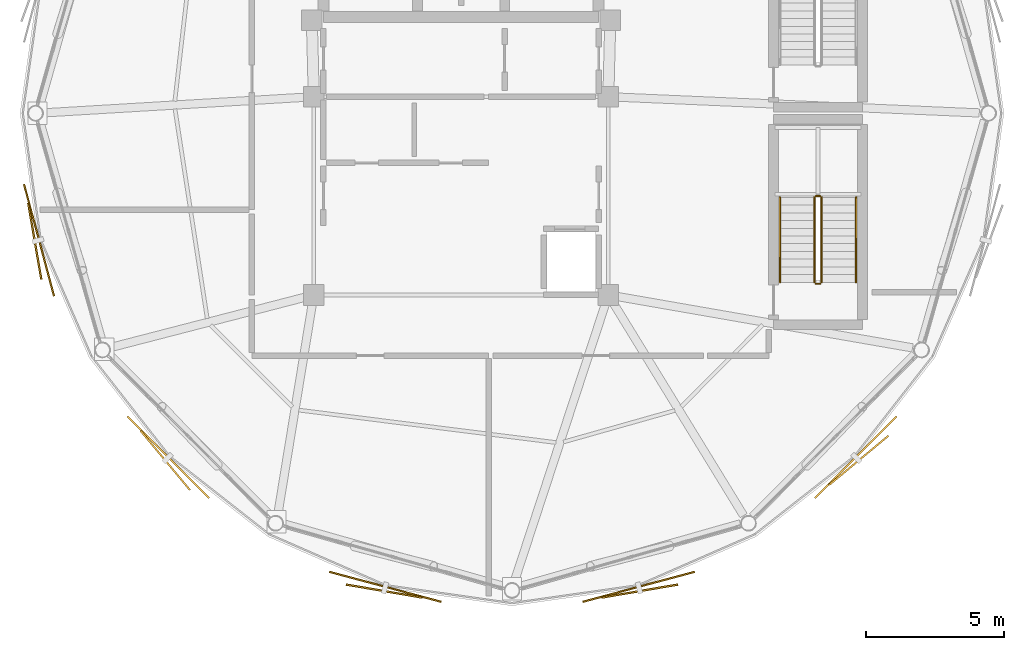
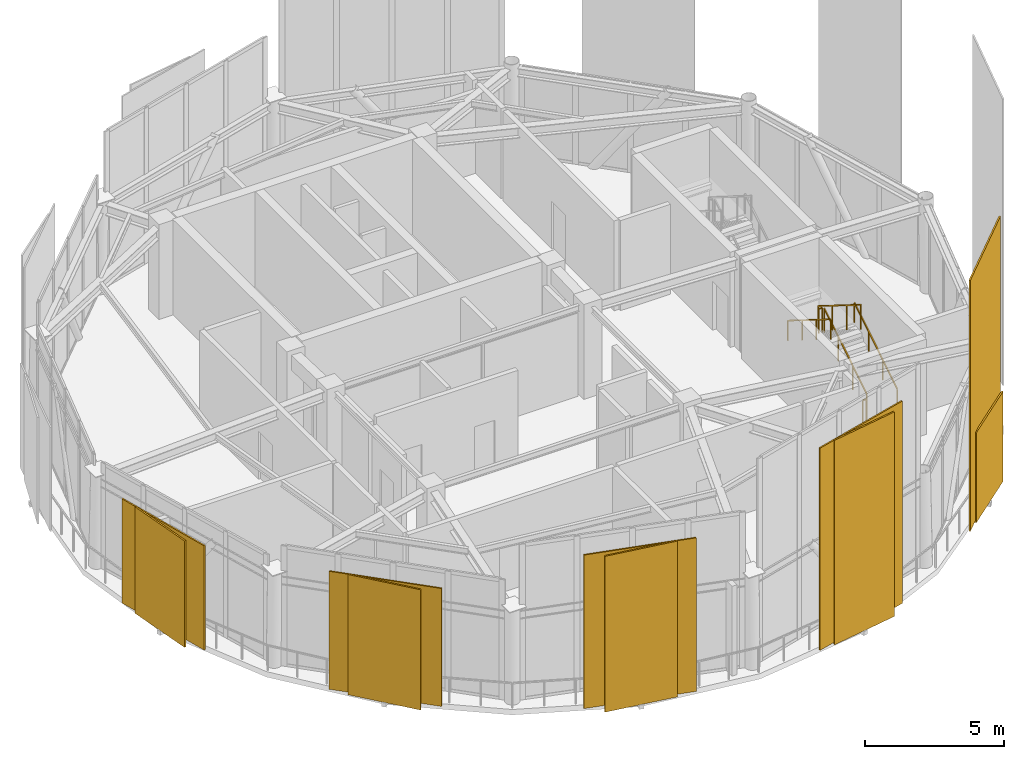
# One storey, part 18 of 20: 6 railings, 5 coverings, 5 shading devices.
"""IFC4 building model written with IfcOpenShell, lengths in metres."""

from ifc_helpers import new_model, si_unit, direction, frame, origin, origin_2d, place, context, subcontext, project, spatial, rectangle, extrude, source, transform, mapped, material, layer, layer_set, type_object, type_shapes, element, save


model = new_model("IFC4")

# Units and contexts
model_context = context("Model", 3, precision=1e-05, world=origin(), true_north=direction((0.0, 1.0)))
body_context = subcontext(model_context, "Body", "Model", "MODEL_VIEW")
ifc_project = project(units=[si_unit("LENGTHUNIT", "METRE"), si_unit("AREAUNIT", "SQUARE_METRE"), si_unit("VOLUMEUNIT", "CUBIC_METRE"), si_unit("PLANEANGLEUNIT", "RADIAN"), si_unit("MASSUNIT", "GRAM", prefix="KILO")], contexts=[model_context])

# Site, building, storey
site_placement = place(None, origin())
site = spatial("IfcSite", under=ifc_project, at=site_placement, CompositionType="ELEMENT")
building_placement = place(site_placement, origin())
building = spatial("IfcBuilding", under=site, at=building_placement, Name="Varnakorn Sky Granary", CompositionType="ELEMENT")
storey_placement = place(building_placement, frame((0.0, 0.0, 310.800048828125)))
storey = spatial("IfcBuildingStorey", under=building, at=storey_placement, Name="L79", CompositionType="ELEMENT", Elevation=310.800048828125)

# Railings
ifc_material_1 = material(Name="Brushed Stainless Steel 316", Category="steel")
railing_type_1 = type_object("IfcRailingType", Name="RL-STAIR-1100", PredefinedType="GUARDRAIL", material=ifc_material_1)
railing_1_placement = place(storey_placement, frame((16.090087890625, -6.139892578125, 0.175048828125)))
element("IfcRailing", 1, at=railing_1_placement, inside=storey, type_object=railing_type_1, Name="L79 ST-C2 stair guard 1", PredefinedType="GUARDRAIL", context=body_context, shape_type="SweptSolid", body=[
    extrude(rectangle(XDim=0.048095703125, YDim=0.048095703125, at=origin_2d()), frame((0.0, 0.0, 1.076171875), z_axis=(0.0, 0.848009633417, 0.529980812513), x_axis=(-1.0, 0.0, 0.0)), (0.0, 0.0, 1.0), 3.6318359375),
    extrude(rectangle(XDim=0.0419921875, YDim=0.0419921875, at=origin_2d()), origin(), (0.0, 0.0, 1.0), 1.048095703125),
    extrude(rectangle(XDim=0.0419921875, YDim=0.0419921875, at=origin_2d()), frame((0.0, 1.026611328125, 0.6416015625)), (0.0, 0.0, 1.0), 1.048095703125),
    extrude(rectangle(XDim=0.0419921875, YDim=0.0419921875, at=origin_2d()), frame((0.0, 2.05322265625, 1.283203125)), (0.0, 0.0, 1.0), 1.048095703125),
    extrude(rectangle(XDim=0.0419921875, YDim=0.0419921875, at=origin_2d()), frame((0.0, 3.079833984375, 1.9248046875)), (0.0, 0.0, 1.0), 1.048095703125),
])
railing_2_placement = place(storey_placement, frame((16.0400390625, -3.010009765625, 2.099853515625)))
element("IfcRailing", 2, at=railing_2_placement, inside=storey, type_object=railing_type_1, Name="L79 ST-C2 stair guard 2", PredefinedType="GUARDRAIL", context=body_context, shape_type="SweptSolid", body=[
    extrude(rectangle(XDim=0.048095703125, YDim=0.048095703125, at=origin_2d()), frame((0.0, 0.0, 1.076171875), z_axis=(-1.0, 0.0, 0.0), x_axis=(0.0, -1.0, 0.0)), (0.0, 0.0, 1.0), 0.150146484375),
    extrude(rectangle(XDim=0.0419921875, YDim=0.0419921875, at=origin_2d()), origin(), (0.0, 0.0, 1.0), 1.048095703125),
    extrude(rectangle(XDim=0.0419921875, YDim=0.0419921875, at=origin_2d()), frame((-0.150146484375, 0.0, 0.0)), (0.0, 0.0, 1.0), 1.048095703125),
])
railing_3_placement = place(storey_placement, frame((15.840087890625, -3.06005859375, 2.27490234375)))
element("IfcRailing", 3, at=railing_3_placement, inside=storey, type_object=railing_type_1, Name="L79 ST-C2 stair guard 3", PredefinedType="GUARDRAIL", context=body_context, shape_type="SweptSolid", body=[
    extrude(rectangle(XDim=0.048095703125, YDim=0.048095703125, at=origin_2d()), frame((0.0, 0.0, 1.076171875), z_axis=(0.0, -0.847979421464, 0.530029150871), x_axis=(1.0, 0.0, 0.0)), (0.0, 0.0, 1.0), 3.632080078125),
    extrude(rectangle(XDim=0.0419921875, YDim=0.0419921875, at=origin_2d()), origin(), (0.0, 0.0, 1.0), 1.048095703125),
    extrude(rectangle(XDim=0.0419921875, YDim=0.0419921875, at=origin_2d()), frame((0.0, -1.026611328125, 0.6416015625)), (0.0, 0.0, 1.0), 1.048095703125),
    extrude(rectangle(XDim=0.0419921875, YDim=0.0419921875, at=origin_2d()), frame((0.0, -2.05322265625, 1.283447265625)), (0.0, 0.0, 1.0), 1.048095703125),
    extrude(rectangle(XDim=0.0419921875, YDim=0.0419921875, at=origin_2d()), frame((0.0, -3.079833984375, 1.925048828125)), (0.0, 0.0, 1.0), 1.048095703125),
])
railing_4_placement = place(storey_placement, frame((16.0400390625, -6.18994140625, 0.0)))
element("IfcRailing", 4, at=railing_4_placement, inside=storey, type_object=railing_type_1, Name="L79 ST-C2 stair guard 4", PredefinedType="GUARDRAIL", context=body_context, shape_type="SweptSolid", body=[
    extrude(rectangle(XDim=0.048095703125, YDim=0.048095703125, at=origin_2d()), frame((0.0, 0.0, 1.076171875), z_axis=(-1.0, 0.0, 0.0), x_axis=(0.0, -1.0, 0.0)), (0.0, 0.0, 1.0), 0.150146484375),
    extrude(rectangle(XDim=0.0419921875, YDim=0.0419921875, at=origin_2d()), origin(), (0.0, 0.0, 1.0), 1.048095703125),
    extrude(rectangle(XDim=0.0419921875, YDim=0.0419921875, at=origin_2d()), frame((-0.150146484375, 0.0, 0.0)), (0.0, 0.0, 1.0), 1.048095703125),
])
railing_type_2 = type_object("IfcRailingType", Name="RL-STAIR-920", PredefinedType="HANDRAIL", material=ifc_material_1)
railing_5_placement = place(storey_placement, frame((17.35009765625, -6.139892578125, 0.175048828125)))
element("IfcRailing", 5, at=railing_5_placement, inside=storey, type_object=railing_type_2, Name="L79 ST-C2 stair handrail 1", PredefinedType="HANDRAIL", context=body_context, shape_type="SweptSolid", body=[
    extrude(rectangle(XDim=0.048095703125, YDim=0.048095703125, at=origin_2d()), frame((0.0, 0.0, 0.8759765625), z_axis=(0.0, 0.848009633417, 0.529980812513), x_axis=(-1.0, 0.0, 0.0)), (0.0, 0.0, 1.0), 3.6318359375),
    extrude(rectangle(XDim=0.0419921875, YDim=0.0419921875, at=origin_2d()), origin(), (0.0, 0.0, 1.0), 0.847900390625),
    extrude(rectangle(XDim=0.0419921875, YDim=0.0419921875, at=origin_2d()), frame((0.0, 1.026611328125, 0.6416015625)), (0.0, 0.0, 1.0), 0.847900390625),
    extrude(rectangle(XDim=0.0419921875, YDim=0.0419921875, at=origin_2d()), frame((0.0, 2.05322265625, 1.283203125)), (0.0, 0.0, 1.0), 0.847900390625),
    extrude(rectangle(XDim=0.0419921875, YDim=0.0419921875, at=origin_2d()), frame((0.0, 3.079833984375, 1.9248046875)), (0.0, 0.0, 1.0), 0.847900390625),
])
railing_6_placement = place(storey_placement, frame((14.580078125, -3.06005859375, 2.27490234375)))
element("IfcRailing", 6, at=railing_6_placement, inside=storey, type_object=railing_type_2, Name="L79 ST-C2 stair handrail 2", PredefinedType="HANDRAIL", context=body_context, shape_type="SweptSolid", body=[
    extrude(rectangle(XDim=0.048095703125, YDim=0.048095703125, at=origin_2d()), frame((0.0, 0.0, 0.8759765625), z_axis=(0.0, -0.847979421464, 0.530029150871), x_axis=(1.0, 0.0, 0.0)), (0.0, 0.0, 1.0), 3.632080078125),
    extrude(rectangle(XDim=0.0419921875, YDim=0.0419921875, at=origin_2d()), origin(), (0.0, 0.0, 1.0), 0.847900390625),
    extrude(rectangle(XDim=0.0419921875, YDim=0.0419921875, at=origin_2d()), frame((0.0, -1.026611328125, 0.6416015625)), (0.0, 0.0, 1.0), 0.847900390625),
    extrude(rectangle(XDim=0.0419921875, YDim=0.0419921875, at=origin_2d()), frame((0.0, -2.05322265625, 1.283447265625)), (0.0, 0.0, 1.0), 0.847900390625),
    extrude(rectangle(XDim=0.0419921875, YDim=0.0419921875, at=origin_2d()), frame((0.0, -3.079833984375, 1.925048828125)), (0.0, 0.0, 1.0), 0.847900390625),
])

# Shading devices
ifc_material_2 = material(Name="Anodised Bronze Aluminium Alloy 6063-T6", Category="aluminium")
shading_device_type = type_object("IfcShadingDeviceType", Name="SH-SCR-03", PredefinedType="USERDEFINED", material=ifc_material_2)
shared_shape_1 = source(origin(), body_context, "Body", "SweptSolid", [
    extrude(rectangle(XDim=2.800048828125, YDim=0.06494140625, at=origin_2d()), origin(), (0.0, 0.0, 1.0), 3.9599609375),
])
shading_device_1_placement = place(storey_placement, frame((17.444091796875, -12.60986328125, -0.0400390625), z_axis=(0.0, 0.0, 1.0), x_axis=(0.769240292064, 0.638959602061, 0.0)))
element("IfcShadingDevice", 7, at=shading_device_1_placement, inside=storey, type_object=shading_device_type, Name="Perforated Bronze Solar Screen Panel SCREEN L79-11", ObjectType="SCREEN", PredefinedType="USERDEFINED", context=body_context, shape_type="MappedRepresentation", body=[
    mapped(shared_shape_1, transform((0.0, 0.0, 0.0), x_axis=(1.0, 0.0, 0.0), y_axis=(0.0, 1.0, 0.0), z_axis=(0.0, 0.0, 1.0), scale=1.0)),
])
shared_shape_2 = source(origin(), body_context, "Body", "SweptSolid", [
    extrude(rectangle(XDim=2.800048828125, YDim=0.06494140625, at=origin_2d()), origin(), (0.0, 0.0, 1.0), 9.0068359375),
])
shading_device_2_placement = place(storey_placement, frame((9.49462890625, -17.355712890625, -0.0400390625), z_axis=(0.0, 0.0, 1.0), x_axis=(0.985608013635, 0.169046867639, 0.0)))
element("IfcShadingDevice", 8, at=shading_device_2_placement, inside=storey, type_object=shading_device_type, Name="Perforated Bronze Solar Screen Panel SCREEN L79-10", ObjectType="SCREEN", PredefinedType="USERDEFINED", context=body_context, shape_type="MappedRepresentation", body=[
    mapped(shared_shape_2, transform((0.0, 0.0, 0.0), x_axis=(1.0, 0.0, 0.0), y_axis=(0.0, 1.0, 0.0), z_axis=(0.0, 0.0, 1.0), scale=1.0)),
])
shared_shape_3 = source(origin(), body_context, "Body", "SweptSolid", [
    extrude(rectangle(XDim=2.800048828125, YDim=0.06494140625, at=origin_2d()), origin(), (0.0, 0.0, 1.0), 6.864501953125),
])
shading_device_3_placement = place(storey_placement, frame((0.205322265625, -17.355712890625, -0.0400390625), z_axis=(0.0, 0.0, 1.0), x_axis=(0.985608013635, -0.169046867639, 0.0)))
element("IfcShadingDevice", 9, at=shading_device_3_placement, inside=storey, type_object=shading_device_type, Name="Perforated Bronze Solar Screen Panel SCREEN L79-09", ObjectType="SCREEN", PredefinedType="USERDEFINED", context=body_context, shape_type="MappedRepresentation", body=[
    mapped(shared_shape_3, transform((0.0, 0.0, 0.0), x_axis=(1.0, 0.0, 0.0), y_axis=(0.0, 1.0, 0.0), z_axis=(0.0, 0.0, 1.0), scale=1.0)),
])
shared_shape_4 = source(origin(), body_context, "Body", "SweptSolid", [
    extrude(rectangle(XDim=2.800048828125, YDim=0.06494140625, at=origin_2d()), origin(), (0.0, 0.0, 1.0), 5.2958984375),
])
shading_device_4_placement = place(storey_placement, frame((-7.744140625, -12.60986328125, -0.0400390625), z_axis=(0.0, 0.0, 1.0), x_axis=(0.639918153418, -0.768443073315, 0.0)))
element("IfcShadingDevice", 10, at=shading_device_4_placement, inside=storey, type_object=shading_device_type, Name="Perforated Bronze Solar Screen Panel SCREEN L79-08", ObjectType="SCREEN", PredefinedType="USERDEFINED", context=body_context, shape_type="MappedRepresentation", body=[
    mapped(shared_shape_4, transform((0.0, 0.0, 0.0), x_axis=(1.0, 0.0, 0.0), y_axis=(0.0, 1.0, 0.0), z_axis=(0.0, 0.0, 1.0), scale=1.0)),
])
shared_shape_5 = source(origin(), body_context, "Body", "SweptSolid", [
    extrude(rectangle(XDim=2.800048828125, YDim=0.06494140625, at=origin_2d()), origin(), (0.0, 0.0, 1.0), 4.688232421875),
])
type_shapes(shading_device_type, [shared_shape_1, shared_shape_2, shared_shape_3, shared_shape_4, shared_shape_5])
shading_device_5_placement = place(storey_placement, frame((-12.484619140625, -4.650390625, -0.0400390625), z_axis=(0.0, 0.0, 1.0), x_axis=(0.169652996009, -0.985503861456, 0.0)))
element("IfcShadingDevice", 11, at=shading_device_5_placement, inside=storey, type_object=shading_device_type, Name="Perforated Bronze Solar Screen Panel SCREEN L79-07", ObjectType="SCREEN", PredefinedType="USERDEFINED", context=body_context, shape_type="MappedRepresentation", body=[
    mapped(shared_shape_5, transform((0.0, 0.0, 0.0), x_axis=(1.0, 0.0, 0.0), y_axis=(0.0, 1.0, 0.0), z_axis=(0.0, 0.0, 1.0), scale=1.0)),
])

# Coverings
ifc_layer = layer(ifc_material_2, 0.050048828125, Name="Anodised Bronze Aluminium Alloy 6063-T6")
ifc_layer_set = layer_set([ifc_layer], Name="Anodised Bronze Aluminium Alloy 6063-T6")
covering_type = type_object("IfcCoveringType", Name="CV-CLAD-50", PredefinedType="CLADDING", material=ifc_layer_set)
shared_shape_6 = source(origin(), body_context, "Body", "SweptSolid", [
    extrude(rectangle(XDim=4.199951171875, YDim=0.06005859375, at=origin_2d()), origin(), (0.0, 0.0, 1.0), 11.04931640625),
])
covering_1_placement = place(storey_placement, frame((17.3310546875, -12.49658203125, 0.050048828125), z_axis=(0.0, 0.0, 1.0), x_axis=(0.707547435477, 0.706665852118, 0.0)))
element("IfcCovering", 12, at=covering_1_placement, inside=storey, type_object=covering_type, Name="Crown Louvre Cladding Screen L79-11", PredefinedType="CLADDING", context=body_context, shape_type="MappedRepresentation", body=[
    mapped(shared_shape_6, transform((0.0, 0.0, 0.0), x_axis=(1.0, 0.0, 0.0), y_axis=(0.0, 1.0, 0.0), z_axis=(0.0, 0.0, 1.0), scale=1.0)),
])
shared_shape_7 = source(origin(), body_context, "Body", "SweptSolid", [
    extrude(rectangle(XDim=4.199951171875, YDim=0.06005859375, at=origin_2d()), origin(), (0.0, 0.0, 1.0), 8.906982421875),
])
covering_2_placement = place(storey_placement, frame((9.453369140625, -17.201171875, 0.0498046875), z_axis=(0.0, 0.0, 1.0), x_axis=(0.966005254616, 0.258522432401, 0.0)))
element("IfcCovering", 13, at=covering_2_placement, inside=storey, type_object=covering_type, Name="Crown Louvre Cladding Screen L79-10", PredefinedType="CLADDING", context=body_context, shape_type="MappedRepresentation", body=[
    mapped(shared_shape_7, transform((0.0, 0.0, 0.0), x_axis=(1.0, 0.0, 0.0), y_axis=(0.0, 1.0, 0.0), z_axis=(0.0, 0.0, 1.0), scale=1.0)),
])
shared_shape_8 = source(origin(), body_context, "Body", "SweptSolid", [
    extrude(rectangle(XDim=4.199951171875, YDim=0.06005859375, at=origin_2d()), origin(), (0.0, 0.0, 1.0), 6.764404296875),
])
covering_3_placement = place(storey_placement, frame((0.24658203125, -17.201171875, 0.0498046875), z_axis=(0.0, 0.0, 1.0), x_axis=(0.966005254616, -0.258522432401, 0.0)))
element("IfcCovering", 14, at=covering_3_placement, inside=storey, type_object=covering_type, Name="Crown Louvre Cladding Screen L79-09", PredefinedType="CLADDING", context=body_context, shape_type="MappedRepresentation", body=[
    mapped(shared_shape_8, transform((0.0, 0.0, 0.0), x_axis=(1.0, 0.0, 0.0), y_axis=(0.0, 1.0, 0.0), z_axis=(0.0, 0.0, 1.0), scale=1.0)),
])
shared_shape_9 = source(origin(), body_context, "Body", "SweptSolid", [
    extrude(rectangle(XDim=4.199951171875, YDim=0.06005859375, at=origin_2d()), origin(), (0.0, 0.0, 1.0), 5.196044921875),
])
covering_4_placement = place(storey_placement, frame((-7.631103515625, -12.49658203125, 0.0498046875), z_axis=(0.0, 0.0, 1.0), x_axis=(0.707547435477, -0.706665852118, 0.0)))
element("IfcCovering", 15, at=covering_4_placement, inside=storey, type_object=covering_type, Name="Crown Louvre Cladding Screen L79-08", PredefinedType="CLADDING", context=body_context, shape_type="MappedRepresentation", body=[
    mapped(shared_shape_9, transform((0.0, 0.0, 0.0), x_axis=(1.0, 0.0, 0.0), y_axis=(0.0, 1.0, 0.0), z_axis=(0.0, 0.0, 1.0), scale=1.0)),
])
shared_shape_10 = source(origin(), body_context, "Body", "SweptSolid", [
    extrude(rectangle(XDim=4.199951171875, YDim=0.06005859375, at=origin_2d()), origin(), (0.0, 0.0, 1.0), 4.58837890625),
])
type_shapes(covering_type, [shared_shape_6, shared_shape_7, shared_shape_8, shared_shape_9, shared_shape_10])
covering_5_placement = place(storey_placement, frame((-12.330078125, -4.60888671875, 0.0498046875), z_axis=(0.0, 0.0, 1.0), x_axis=(0.259116487925, -0.965846077636, 0.0)))
element("IfcCovering", 16, at=covering_5_placement, inside=storey, type_object=covering_type, Name="Crown Louvre Cladding Screen L79-07", PredefinedType="CLADDING", context=body_context, shape_type="MappedRepresentation", body=[
    mapped(shared_shape_10, transform((0.0, 0.0, 0.0), x_axis=(1.0, 0.0, 0.0), y_axis=(0.0, 1.0, 0.0), z_axis=(0.0, 0.0, 1.0), scale=1.0)),
])

save(model, "model.ifc")
